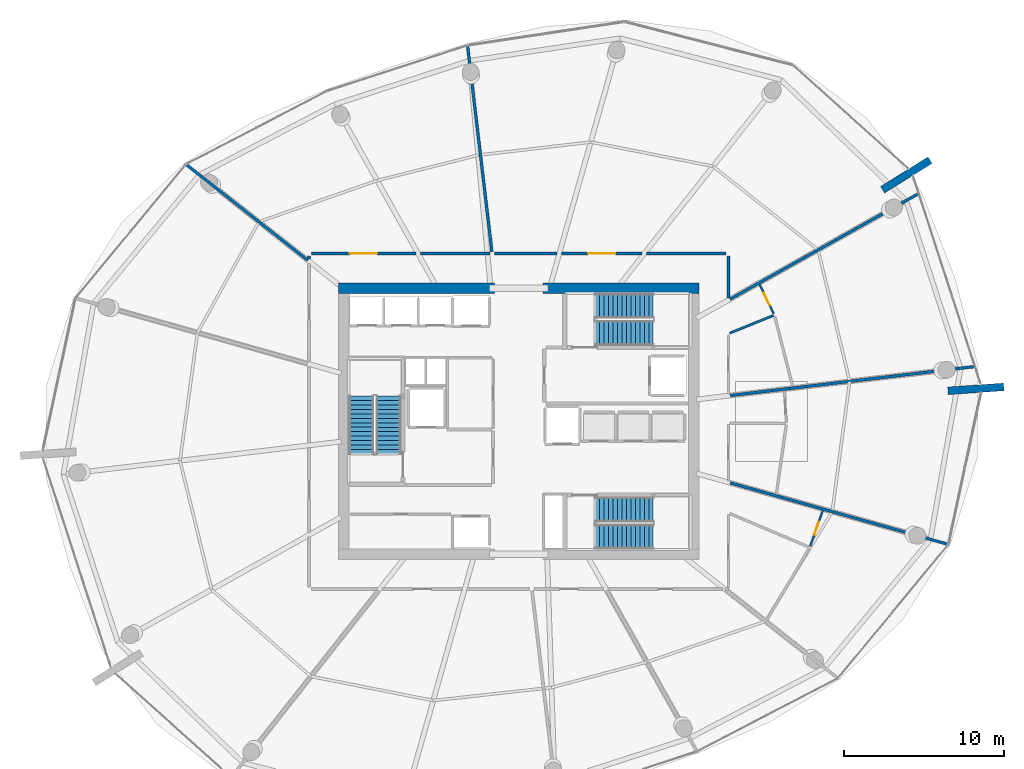
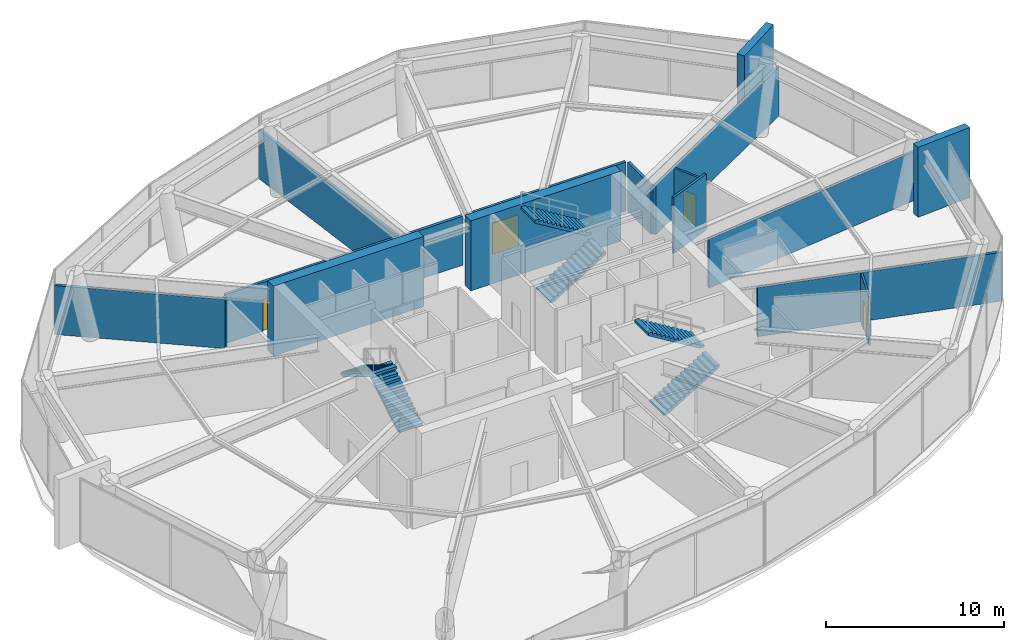
# One storey, part 19 of 22: 19 walls, 6 stair flights, 4 doors, 4 openings, 3 elements without a shape of their own.
"""IFC4 building model written with IfcOpenShell, lengths in metres."""

from ifc_helpers import new_model, si_unit, direction, frame, frame_2d, origin, place, context, subcontext, project, spatial, polyline, rectangle, outline, extrude, material, layer, layer_set, type_object, element, fill, aggregate, save


model = new_model("IFC4")

# Units and contexts
model_context = context("Model", 3, precision=1e-05, world=origin(), true_north=direction((0.0, 1.0)))
body_context = subcontext(model_context, "Body", "Model", "MODEL_VIEW")
ifc_project = project(units=[si_unit("LENGTHUNIT", "METRE"), si_unit("AREAUNIT", "SQUARE_METRE"), si_unit("VOLUMEUNIT", "CUBIC_METRE"), si_unit("PLANEANGLEUNIT", "RADIAN"), si_unit("MASSUNIT", "GRAM", prefix="KILO")], contexts=[model_context])

# Site, building, storey
site_placement = place(None, origin())
site = spatial("IfcSite", under=ifc_project, at=site_placement, CompositionType="ELEMENT")
building_placement = place(site_placement, origin())
building = spatial("IfcBuilding", under=site, at=building_placement, Name="Kazma Halo Residences", CompositionType="ELEMENT")
storey_placement = place(building_placement, frame((0.0, 0.0, 231.89990234375)))
storey = spatial("IfcBuildingStorey", under=building, at=storey_placement, Name="L58", CompositionType="ELEMENT", Elevation=231.89990234375)

# Walls
ifc_material_1 = material(Name="Pale Concrete C60/75", Category="concrete")
ifc_layer_1 = layer(ifc_material_1, 0.47998046875)
ifc_layer_set_1 = layer_set([ifc_layer_1], Name="Pale Concrete C60/75")
wall_type_1 = type_object("IfcWallType", Name="WL-BLADE-480", PredefinedType="SOLIDWALL", material=ifc_layer_set_1)
wall_1_placement = place(storey_placement, frame((71.197509765625, 56.49560546875, 0.0), z_axis=(0.0, 0.0, 1.0), x_axis=(0.848084507158, 0.529860989996, 0.0)))
element("IfcWall", 1, at=wall_1_placement, inside=storey, type_object=wall_type_1, Name="L58 pale concrete structural blade fin wall BW-01", PredefinedType="SOLIDWALL", context=body_context, shape_type="SweptSolid", body=[
    extrude(rectangle(XDim=3.5, YDim=0.47998046875, at=frame_2d((1.75, 0.0))), origin(), (0.0, 0.0, 1.0), 4.800048828125),
])
wall_2_placement = place(storey_placement, frame((75.28759765625, 43.908203125, 0.0), z_axis=(0.0, 0.0, 1.0), x_axis=(0.997563824095, 0.069759707979, 0.0)))
element("IfcWall", 2, at=wall_2_placement, inside=storey, type_object=wall_type_1, Name="L58 pale concrete structural blade fin wall BW-04", PredefinedType="SOLIDWALL", context=body_context, shape_type="SweptSolid", body=[
    extrude(rectangle(XDim=3.499755859375, YDim=0.47998046875, at=frame_2d((1.75, 0.0))), origin(), (0.0, 0.0, 1.0), 4.800048828125),
])
ifc_material_2 = material(Name="Concrete C60/75", Category="concrete")
ifc_layer_2 = layer(ifc_material_2, 0.64990234375)
ifc_layer_set_2 = layer_set([ifc_layer_2], Name="Concrete C60/75")
wall_type_2 = type_object("IfcWallType", Name="WL-CORE-650", PredefinedType="SHEAR", material=ifc_layer_set_2)
for number, where, z_axis, x_axis, name in (
    (3, (37.14990234375, 50.324951171875, 0.0), (0.0, 0.0, 1.0), (1.0, 0.0, 0.0), "L58 central core shear wall NW"),
    (4, (49.949951171875, 50.324951171875, 0.0), (0.0, 0.0, 1.0), (1.0, 0.0, 0.0), "L58 central core shear wall NE"),
):
    element("IfcWall", number, at=place(storey_placement, frame(where, z_axis=z_axis, x_axis=x_axis)), inside=storey, type_object=wall_type_2, Name=name, PredefinedType="SHEAR", context=body_context, shape_type="SweptSolid", body=[
        extrude(rectangle(XDim=9.75, YDim=0.64990234375, at=frame_2d((4.875, 0.0))), origin(), (0.0, 0.0, 1.0), 4.800048828125),
    ])
ifc_material_3 = material(Name="Acoustic Twin-Stud Gypsum")
ifc_layer_3 = layer(ifc_material_3, 0.179931640625)
ifc_layer_set_3 = layer_set([ifc_layer_3], Name="Acoustic Twin-Stud Gypsum")
wall_type_3 = type_object("IfcWallType", Name="WL-DEM-180", PredefinedType="PARTITIONING", material=ifc_layer_set_3)
wall_3_placement = place(storey_placement, frame((61.550048828125, 49.728515625, 0.0), z_axis=(0.0, 0.0, 1.0), x_axis=(0.0, 1.0, 0.0)))
element("IfcWall", 5, at=wall_3_placement, inside=storey, type_object=wall_type_3, Name="L58 Upper Sky Lobby Concourse corridor wall", PredefinedType="PARTITIONING", context=body_context, shape_type="SweptSolid", body=[
    extrude(rectangle(XDim=2.631591796875, YDim=0.179931640625, at=frame_2d((1.31591796875, 0.0))), origin(), (0.0, 0.0, 1.0), 3.357177734375),
])
wall_4_placement = place(storey_placement, frame((61.409912109375, 52.5, 0.0), z_axis=(0.0, 0.0, 1.0), x_axis=(-1.0, 0.0, 0.0)))
element("IfcWall", 6, at=wall_4_placement, inside=storey, type_object=wall_type_3, Name="L58 Upper Sky Lobby Concourse corridor wall", PredefinedType="PARTITIONING", context=body_context, shape_type="SweptSolid", body=[
    extrude(rectangle(XDim=4.992431640625, YDim=0.179931640625, at=frame_2d((2.49609375, 0.0))), origin(), (0.0, 0.0, 1.0), 3.357177734375),
])

# Wall, opening, door
wall_5_placement = place(storey_placement, frame((56.137451171875, 52.5, 0.0), z_axis=(0.0, 0.0, 1.0), x_axis=(-1.0, 0.0, 0.0)))
wall_5 = element("IfcWall", 7, at=wall_5_placement, inside=storey, type_object=wall_type_3, Name="L58 Upper Sky Lobby Concourse corridor wall", PredefinedType="PARTITIONING", context=body_context, shape_type="SweptSolid", body=[
    extrude(rectangle(XDim=5.0361328125, YDim=0.179931640625, at=frame_2d((2.51806640625, 0.0))), origin(), (0.0, 0.0, 1.0), 3.357177734375),
])
opening_1_placement = place(wall_5_placement, frame((1.668212890625, 0.0, 0.0)))
opening_1 = element("IfcOpeningElement", 8, at=opening_1_placement, cuts=wall_5, Name="Opening DL-1800", PredefinedType="OPENING", context=body_context, shape_type="SweptSolid", body=[
    extrude(rectangle(XDim=1.699951171875, YDim=2.14990234375, at=frame_2d((0.85009765625, 1.074951171875))), frame((0.0, 0.099853515625, 0.0), z_axis=(0.0, -1.0, 0.0), x_axis=(1.0, 0.0, 0.0)), (0.0, 0.0, 1.0), 0.199951171875),
])
ifc_material_4 = material(Name="Glazed Aluminium Double Leaf", Category="aluminium")
door_type_1 = type_object("IfcDoorType", Name="DR-LGE-1800", OperationType="NOTDEFINED", PredefinedType="DOOR", material=ifc_material_4)
door_1_placement = place(opening_1_placement, origin())
door_1 = element("IfcDoor", 9, at=door_1_placement, inside=storey, type_object=door_type_1, Name="L58 Upper Sky Lobby Concourse entrance door", OperationType="DOUBLE_DOOR_SINGLE_SWING", OverallHeight=2.14990234375, OverallWidth=1.699951171875, PredefinedType="DOOR", context=body_context, shape_type="SweptSolid", body=[
    extrude(rectangle(XDim=1.699951171875, YDim=2.14990234375, at=frame_2d((0.85009765625, 1.074951171875))), frame((0.0, 0.02490234375, 0.0), z_axis=(0.0, -1.0, 0.0), x_axis=(1.0, 0.0, 0.0)), (0.0, 0.0, 1.0), 0.050048828125),
])
fill(opening_1, door_1)

# Walls
wall_6_placement = place(storey_placement, frame((50.8212890625, 52.5, 0.0), z_axis=(0.0, 0.0, 1.0), x_axis=(-1.0, 0.0, 0.0)))
element("IfcWall", 10, at=wall_6_placement, inside=storey, type_object=wall_type_3, Name="L58 Upper Sky Lobby Concourse corridor wall", PredefinedType="PARTITIONING", context=body_context, shape_type="SweptSolid", body=[
    extrude(rectangle(XDim=3.924072265625, YDim=0.179931640625, at=frame_2d((1.9619140625, 0.0))), origin(), (0.0, 0.0, 1.0), 3.357177734375),
])
wall_7_placement = place(storey_placement, frame((61.64599609375, 49.64208984375, 0.0), z_axis=(0.0, 0.0, 1.0), x_axis=(0.872490621789, 0.488630857488, 0.0)))
element("IfcWall", 11, at=wall_7_placement, inside=storey, type_object=wall_type_3, Name="L58 radial partition wall 00", PredefinedType="PARTITIONING", context=body_context, shape_type="SweptSolid", body=[
    extrude(rectangle(XDim=13.522216796875, YDim=0.179931640625, at=frame_2d((6.76123046875, 0.0))), origin(), (0.0, 0.0, 1.0), 3.357177734375),
])
wall_8_placement = place(storey_placement, frame((46.744384765625, 52.609130859375, 0.0), z_axis=(0.0, 0.0, 1.0), x_axis=(-0.117537360962, 0.993068461274, 0.0)))
element("IfcWall", 12, at=wall_8_placement, inside=storey, type_object=wall_type_3, Name="L58 radial partition wall 03", PredefinedType="PARTITIONING", context=body_context, shape_type="SweptSolid", body=[
    extrude(rectangle(XDim=12.982177734375, YDim=0.179931640625, at=frame_2d((6.4912109375, 0.0))), origin(), (0.0, 0.0, 1.0), 3.357177734375),
])
wall_9_placement = place(storey_placement, frame((46.6171875, 52.5, 0.0), z_axis=(0.0, 0.0, 1.0), x_axis=(-1.0, 0.0, 0.0)))
element("IfcWall", 13, at=wall_9_placement, inside=storey, type_object=wall_type_3, Name="L58 Observatory Sky Dining Hall corridor wall", PredefinedType="PARTITIONING", context=body_context, shape_type="SweptSolid", body=[
    extrude(rectangle(XDim=4.357421875, YDim=0.179931640625, at=frame_2d((2.1787109375, 0.0))), origin(), (0.0, 0.0, 1.0), 3.357177734375),
])

# Wall, opening, door
wall_10_placement = place(storey_placement, frame((41.979736328125, 52.5, 0.0), z_axis=(0.0, 0.0, 1.0), x_axis=(-1.0, 0.0, 0.0)))
wall_10 = element("IfcWall", 14, at=wall_10_placement, inside=storey, type_object=wall_type_3, Name="L58 Observatory Sky Dining Hall corridor wall", PredefinedType="PARTITIONING", context=body_context, shape_type="SweptSolid", body=[
    extrude(rectangle(XDim=6.539794921875, YDim=0.179931640625, at=frame_2d((3.27001953125, 0.0))), origin(), (0.0, 0.0, 1.0), 3.357177734375),
])
opening_2_placement = place(wall_10_placement, frame((2.419921875, 0.0, 0.0)))
opening_2 = element("IfcOpeningElement", 15, at=opening_2_placement, cuts=wall_10, Name="Opening DL-1800", PredefinedType="OPENING", context=body_context, shape_type="SweptSolid", body=[
    extrude(rectangle(XDim=1.699951171875, YDim=2.14990234375, at=frame_2d((0.85009765625, 1.074951171875))), frame((0.0, 0.099853515625, 0.0), z_axis=(0.0, -1.0, 0.0), x_axis=(1.0, 0.0, 0.0)), (0.0, 0.0, 1.0), 0.199951171875),
])
door_2_placement = place(opening_2_placement, origin())
door_2 = element("IfcDoor", 16, at=door_2_placement, inside=storey, type_object=door_type_1, Name="L58 Observatory Sky Dining Hall entrance door", OperationType="DOUBLE_DOOR_SINGLE_SWING", OverallHeight=2.14990234375, OverallWidth=1.699951171875, PredefinedType="DOOR", context=body_context, shape_type="SweptSolid", body=[
    extrude(rectangle(XDim=1.699951171875, YDim=2.14990234375, at=frame_2d((0.85009765625, 1.074951171875))), frame((0.0, 0.02490234375, 0.0), z_axis=(0.0, -1.0, 0.0), x_axis=(1.0, 0.0, 0.0)), (0.0, 0.0, 1.0), 0.050048828125),
])
fill(opening_2, door_2)

# Walls
wall_11_placement = place(storey_placement, frame((35.300048828125, 52.360107421875, 0.0), z_axis=(0.0, 0.0, 1.0), x_axis=(0.0, -1.0, 0.0)))
element("IfcWall", 17, at=wall_11_placement, inside=storey, type_object=wall_type_3, Name="L58 Observatory Sky Dining Hall corridor wall", PredefinedType="PARTITIONING", context=body_context, shape_type="SweptSolid", body=[
    extrude(rectangle(XDim=0.208251953125, YDim=0.179931640625, at=frame_2d((0.10400390625, 0.0))), origin(), (0.0, 0.0, 1.0), 3.357177734375),
])
wall_12_placement = place(storey_placement, frame((35.213623046875, 52.080078125, 0.0), z_axis=(0.0, 0.0, 1.0), x_axis=(-0.785322491177, 0.619086896043, 0.0)))
element("IfcWall", 18, at=wall_12_placement, inside=storey, type_object=wall_type_3, Name="L58 radial partition wall 05", PredefinedType="PARTITIONING", context=body_context, shape_type="SweptSolid", body=[
    extrude(rectangle(XDim=9.673828125, YDim=0.179931640625, at=frame_2d((4.8369140625, 0.0))), origin(), (0.0, 0.0, 1.0), 3.357177734375),
])
wall_13_placement = place(storey_placement, frame((61.656005859375, 38.148681640625, 0.0), z_axis=(0.0, 0.0, 1.0), x_axis=(0.962456252805, -0.271436846128, 0.0)))
element("IfcWall", 19, at=wall_13_placement, inside=storey, type_object=wall_type_3, Name="L58 radial partition wall 14", PredefinedType="PARTITIONING", context=body_context, shape_type="SweptSolid", body=[
    extrude(rectangle(XDim=14.17431640625, YDim=0.179931640625, at=frame_2d((7.087158203125, 0.0))), origin(), (0.0, 0.0, 1.0), 3.357177734375),
])
wall_14_placement = place(storey_placement, frame((61.6591796875, 43.61669921875, 0.0), z_axis=(0.0, 0.0, 1.0), x_axis=(0.99306815803, 0.117539923033, 0.0)))
element("IfcWall", 20, at=wall_14_placement, inside=storey, type_object=wall_type_3, Name="L58 radial partition wall 15", PredefinedType="PARTITIONING", context=body_context, shape_type="SweptSolid", body=[
    extrude(rectangle(XDim=15.40771484375, YDim=0.179931640625, at=frame_2d((7.703857421875, 0.0))), origin(), (0.0, 0.0, 1.0), 3.357177734375),
])

# Wall, opening, door
ifc_material_5 = material(Name="Gypsum Plasterboard Partition")
ifc_layer_4 = layer(ifc_material_5, 0.125)
ifc_layer_set_4 = layer_set([ifc_layer_4], Name="Gypsum Plasterboard Partition")
wall_type_4 = type_object("IfcWallType", Name="WL-PART-125", PredefinedType="PARTITIONING", material=ifc_layer_set_4)
wall_15_placement = place(storey_placement, frame((66.666259765625, 34.1826171875, 0.0), z_axis=(0.0, 0.0, 1.0), x_axis=(0.331381554754, 0.943496828383, 0.0)))
wall_15 = element("IfcWall", 21, at=wall_15_placement, inside=storey, type_object=wall_type_4, Name="L58 supply store wall", PredefinedType="PARTITIONING", context=body_context, shape_type="SweptSolid", body=[
    extrude(rectangle(XDim=2.362060546875, YDim=0.125, at=frame_2d((1.18115234375, 0.0))), origin(), (0.0, 0.0, 1.0), 3.357177734375),
])
opening_3_placement = place(wall_15_placement, frame((0.756103515625, 0.0, 0.0)))
opening_3 = element("IfcOpeningElement", 22, at=opening_3_placement, cuts=wall_15, Name="Opening DS-850", PredefinedType="OPENING", context=body_context, shape_type="SweptSolid", body=[
    extrude(rectangle(XDim=0.85009765625, YDim=2.06005859375, at=frame_2d((0.425048828125, 1.030029296875))), frame((0.0, 0.072509765625, 0.0), z_axis=(0.0, -1.0, 0.0), x_axis=(1.0, 0.0, 0.0)), (0.0, 0.0, 1.0), 0.14501953125),
])
ifc_material_6 = material(Name="Painted Steel Access Leaf", Category="steel")
door_type_2 = type_object("IfcDoorType", Name="DR-SVC-850", OperationType="NOTDEFINED", PredefinedType="DOOR", material=ifc_material_6)
door_3_placement = place(opening_3_placement, origin())
door_3 = element("IfcDoor", 23, at=door_3_placement, inside=storey, type_object=door_type_2, Name="L58 supply store door", OperationType="SINGLE_SWING_RIGHT", OverallHeight=2.06005859375, OverallWidth=0.85009765625, PredefinedType="DOOR", context=body_context, shape_type="SweptSolid", body=[
    extrude(rectangle(XDim=0.85009765625, YDim=2.06005859375, at=frame_2d((0.425048828125, 1.030029296875))), frame((0.0, 0.02490234375, 0.0), z_axis=(0.0, -1.0, 0.0), x_axis=(1.0, 0.0, 0.0)), (0.0, 0.0, 1.0), 0.050048828125),
])
fill(opening_3, door_3)

wall_16_placement = place(storey_placement, frame((64.388427734375, 48.72412109375, 0.0), z_axis=(0.0, 0.0, 1.0), x_axis=(-0.432831961941, 0.90147462123, 0.0)))
wall_16 = element("IfcWall", 24, at=wall_16_placement, inside=storey, type_object=wall_type_4, Name="L58 supply store wall", PredefinedType="PARTITIONING", context=body_context, shape_type="SweptSolid", body=[
    extrude(rectangle(XDim=2.045166015625, YDim=0.125, at=frame_2d((1.0224609375, 0.0))), origin(), (0.0, 0.0, 1.0), 3.357177734375),
])
opening_4_placement = place(wall_16_placement, frame((0.59765625, 0.0, 0.0)))
opening_4 = element("IfcOpeningElement", 25, at=opening_4_placement, cuts=wall_16, Name="Opening DS-850", PredefinedType="OPENING", context=body_context, shape_type="SweptSolid", body=[
    extrude(rectangle(XDim=0.85009765625, YDim=2.06005859375, at=frame_2d((0.425048828125, 1.030029296875))), frame((0.0, 0.072509765625, 0.0), z_axis=(0.0, -1.0, 0.0), x_axis=(1.0, 0.0, 0.0)), (0.0, 0.0, 1.0), 0.14501953125),
])
door_4_placement = place(opening_4_placement, origin())
door_4 = element("IfcDoor", 26, at=door_4_placement, inside=storey, type_object=door_type_2, Name="L58 supply store door", OperationType="SINGLE_SWING_RIGHT", OverallHeight=2.06005859375, OverallWidth=0.85009765625, PredefinedType="DOOR", context=body_context, shape_type="SweptSolid", body=[
    extrude(rectangle(XDim=0.85009765625, YDim=2.06005859375, at=frame_2d((0.425048828125, 1.030029296875))), frame((0.0, 0.02490234375, 0.0), z_axis=(0.0, -1.0, 0.0), x_axis=(1.0, 0.0, 0.0)), (0.0, 0.0, 1.0), 0.050048828125),
])
fill(opening_4, door_4)

# Wall
ifc_material_7 = material(Name="Moisture-Resistant Gypsum")
ifc_layer_5 = layer(ifc_material_7, 0.14990234375)
ifc_layer_set_5 = layer_set([ifc_layer_5], Name="Moisture-Resistant Gypsum")
wall_type_5 = type_object("IfcWallType", Name="WL-WET-150", PredefinedType="PARTITIONING", material=ifc_layer_set_5)
wall_17_placement = place(storey_placement, frame((61.6240234375, 47.518310546875, 0.0), z_axis=(0.0, 0.0, 1.0), x_axis=(0.926869613272, 0.375383430631, 0.0)))
element("IfcWall", 27, at=wall_17_placement, inside=storey, type_object=wall_type_5, Name="L58 Upper Sky Accessible WC side wall", PredefinedType="PARTITIONING", context=body_context, shape_type="SweptSolid", body=[
    extrude(rectangle(XDim=2.9599609375, YDim=0.14990234375, at=frame_2d((1.47998046875, 0.0))), origin(), (0.0, 0.0, 1.0), 3.840087890625),
])

# Stair, stair flights
ifc_material_8 = material(Name="Concrete C50/60", Category="concrete")
stair_type = type_object("IfcStairType", Name="STR-POD", PredefinedType="HALF_TURN_STAIR", material=ifc_material_8)
stair_1_placement = place(storey_placement, origin())
stair_1 = element("IfcStair", 28, at=stair_1_placement, inside=storey, type_object=stair_type, Name="L58 Core exit stair ST-01", PredefinedType="HALF_TURN_STAIR")
stair_flight_type = type_object("IfcStairFlightType", Name="STR-POD-FLT", PredefinedType="STRAIGHT", material=ifc_material_8)
stair_flight_1_placement = place(storey_placement, frame((40.27490234375, 39.949951171875, 0.0), z_axis=(0.0, 0.0, 1.0), x_axis=(0.0, 1.0, 0.0)))
stair_flight_1 = element("IfcStairFlight", 29, at=stair_flight_1_placement, type_object=stair_flight_type, Name="ST-01 flight 1", NumberOfRisers=14, NumberOfTreads=13, PredefinedType="STRAIGHT", RiserHeight=0.171428571, TreadLength=0.28, context=body_context, shape_type="SweptSolid", body=[
    extrude(outline(polyline([(0.0, 0.0), (0.0, 0.17138671875), (0.280029296875, 0.17138671875), (0.280029296875, 0.3427734375), (0.56005859375, 0.3427734375), (0.56005859375, 0.514404296875), (0.840087890625, 0.514404296875), (0.840087890625, 0.685791015625), (1.1201171875, 0.685791015625), (1.1201171875, 0.857177734375), (1.39990234375, 0.857177734375), (1.39990234375, 1.028564453125), (1.679931640625, 1.028564453125), (1.679931640625, 1.199951171875), (1.9599609375, 1.199951171875), (1.9599609375, 1.371337890625), (2.239990234375, 1.371337890625), (2.239990234375, 1.54296875), (2.52001953125, 1.54296875), (2.52001953125, 1.71435546875), (2.800048828125, 1.71435546875), (2.800048828125, 1.8857421875), (3.080078125, 1.8857421875), (3.080078125, 2.05712890625), (3.360107421875, 2.05712890625), (3.360107421875, 2.228515625), (3.639892578125, 2.228515625), (3.639892578125, 2.39990234375), (3.639892578125, 2.052734375), (0.287109375, 0.0), (0.0, 0.0)])), frame((0.0, 0.77490234375, 0.0), z_axis=(0.0, -1.0, 0.0), x_axis=(1.0, 0.0, 0.0)), (0.0, 0.0, 1.0), 1.550048828125),
])
stair_flight_2_placement = place(storey_placement, frame((38.574951171875, 43.590087890625, 2.400146484375), z_axis=(0.0, 0.0, 1.0), x_axis=(0.0, -1.0, 0.0)))
stair_flight_2 = element("IfcStairFlight", 30, at=stair_flight_2_placement, type_object=stair_flight_type, Name="ST-01 flight 2", NumberOfRisers=14, NumberOfTreads=13, PredefinedType="STRAIGHT", RiserHeight=0.171428571, TreadLength=0.28, context=body_context, shape_type="SweptSolid", body=[
    extrude(outline(polyline([(0.0, 0.0), (0.0, 0.17138671875), (0.280029296875, 0.17138671875), (0.280029296875, 0.3427734375), (0.56005859375, 0.3427734375), (0.56005859375, 0.514404296875), (0.840087890625, 0.514404296875), (0.840087890625, 0.685791015625), (1.1201171875, 0.685791015625), (1.1201171875, 0.857177734375), (1.39990234375, 0.857177734375), (1.39990234375, 1.028564453125), (1.679931640625, 1.028564453125), (1.679931640625, 1.199951171875), (1.9599609375, 1.199951171875), (1.9599609375, 1.371337890625), (2.239990234375, 1.371337890625), (2.239990234375, 1.54296875), (2.52001953125, 1.54296875), (2.52001953125, 1.71435546875), (2.800048828125, 1.71435546875), (2.800048828125, 1.8857421875), (3.080078125, 1.8857421875), (3.080078125, 2.05712890625), (3.360107421875, 2.05712890625), (3.360107421875, 2.228515625), (3.639892578125, 2.228515625), (3.639892578125, 2.39990234375), (3.639892578125, 2.052734375), (0.287109375, 0.0), (0.0, 0.0)])), frame((0.0, 0.77490234375, 0.0), z_axis=(0.0, -1.0, 0.0), x_axis=(1.0, 0.0, 0.0)), (0.0, 0.0, 1.0), 1.550048828125),
])
aggregate(stair_1, [stair_flight_1, stair_flight_2])

stair_2_placement = place(storey_placement, origin())
stair_2 = element("IfcStair", 31, at=stair_2_placement, inside=storey, type_object=stair_type, Name="L58 Core exit stair ST-02", PredefinedType="HALF_TURN_STAIR")
stair_flight_3_placement = place(storey_placement, frame((53.199951171875, 47.52490234375, 0.0), z_axis=(0.0, 0.0, 1.0), x_axis=(1.0, 0.0, 0.0)))
stair_flight_3 = element("IfcStairFlight", 32, at=stair_flight_3_placement, type_object=stair_flight_type, Name="ST-02 flight 1", NumberOfRisers=14, NumberOfTreads=13, PredefinedType="STRAIGHT", RiserHeight=0.171428571, TreadLength=0.28, context=body_context, shape_type="SweptSolid", body=[
    extrude(outline(polyline([(0.0, 0.0), (0.0, 0.17138671875), (0.280029296875, 0.17138671875), (0.280029296875, 0.3427734375), (0.56005859375, 0.3427734375), (0.56005859375, 0.514404296875), (0.840087890625, 0.514404296875), (0.840087890625, 0.685791015625), (1.1201171875, 0.685791015625), (1.1201171875, 0.857177734375), (1.39990234375, 0.857177734375), (1.39990234375, 1.028564453125), (1.679931640625, 1.028564453125), (1.679931640625, 1.199951171875), (1.9599609375, 1.199951171875), (1.9599609375, 1.371337890625), (2.239990234375, 1.371337890625), (2.239990234375, 1.54296875), (2.52001953125, 1.54296875), (2.52001953125, 1.71435546875), (2.800048828125, 1.71435546875), (2.800048828125, 1.8857421875), (3.080078125, 1.8857421875), (3.080078125, 2.05712890625), (3.360107421875, 2.05712890625), (3.360107421875, 2.228515625), (3.639892578125, 2.228515625), (3.639892578125, 2.39990234375), (3.639892578125, 2.052734375), (0.287109375, 0.0), (0.0, 0.0)])), frame((0.0, 0.77490234375, 0.0), z_axis=(0.0, -1.0, 0.0), x_axis=(1.0, 0.0, 0.0)), (0.0, 0.0, 1.0), 1.550048828125),
])
stair_flight_4_placement = place(storey_placement, frame((56.840087890625, 49.22509765625, 2.400146484375), z_axis=(0.0, 0.0, 1.0), x_axis=(-1.0, 0.0, 0.0)))
stair_flight_4 = element("IfcStairFlight", 33, at=stair_flight_4_placement, type_object=stair_flight_type, Name="ST-02 flight 2", NumberOfRisers=14, NumberOfTreads=13, PredefinedType="STRAIGHT", RiserHeight=0.171428571, TreadLength=0.28, context=body_context, shape_type="SweptSolid", body=[
    extrude(outline(polyline([(0.0, 0.0), (0.0, 0.17138671875), (0.280029296875, 0.17138671875), (0.280029296875, 0.3427734375), (0.56005859375, 0.3427734375), (0.56005859375, 0.514404296875), (0.840087890625, 0.514404296875), (0.840087890625, 0.685791015625), (1.1201171875, 0.685791015625), (1.1201171875, 0.857177734375), (1.39990234375, 0.857177734375), (1.39990234375, 1.028564453125), (1.679931640625, 1.028564453125), (1.679931640625, 1.199951171875), (1.9599609375, 1.199951171875), (1.9599609375, 1.371337890625), (2.239990234375, 1.371337890625), (2.239990234375, 1.54296875), (2.52001953125, 1.54296875), (2.52001953125, 1.71435546875), (2.800048828125, 1.71435546875), (2.800048828125, 1.8857421875), (3.080078125, 1.8857421875), (3.080078125, 2.05712890625), (3.360107421875, 2.05712890625), (3.360107421875, 2.228515625), (3.639892578125, 2.228515625), (3.639892578125, 2.39990234375), (3.639892578125, 2.052734375), (0.287109375, 0.0), (0.0, 0.0)])), frame((0.0, 0.77490234375, 0.0), z_axis=(0.0, -1.0, 0.0), x_axis=(1.0, 0.0, 0.0)), (0.0, 0.0, 1.0), 1.550048828125),
])
aggregate(stair_2, [stair_flight_3, stair_flight_4])

stair_3_placement = place(storey_placement, origin())
stair_3 = element("IfcStair", 34, at=stair_3_placement, inside=storey, type_object=stair_type, Name="L58 Core exit stair ST-03", PredefinedType="HALF_TURN_STAIR")
stair_flight_5_placement = place(storey_placement, frame((53.199951171875, 34.77490234375, 0.0), z_axis=(0.0, 0.0, 1.0), x_axis=(1.0, 0.0, 0.0)))
stair_flight_5 = element("IfcStairFlight", 35, at=stair_flight_5_placement, type_object=stair_flight_type, Name="ST-03 flight 1", NumberOfRisers=14, NumberOfTreads=13, PredefinedType="STRAIGHT", RiserHeight=0.171428571, TreadLength=0.28, context=body_context, shape_type="SweptSolid", body=[
    extrude(outline(polyline([(0.0, 0.0), (0.0, 0.17138671875), (0.280029296875, 0.17138671875), (0.280029296875, 0.3427734375), (0.56005859375, 0.3427734375), (0.56005859375, 0.514404296875), (0.840087890625, 0.514404296875), (0.840087890625, 0.685791015625), (1.1201171875, 0.685791015625), (1.1201171875, 0.857177734375), (1.39990234375, 0.857177734375), (1.39990234375, 1.028564453125), (1.679931640625, 1.028564453125), (1.679931640625, 1.199951171875), (1.9599609375, 1.199951171875), (1.9599609375, 1.371337890625), (2.239990234375, 1.371337890625), (2.239990234375, 1.54296875), (2.52001953125, 1.54296875), (2.52001953125, 1.71435546875), (2.800048828125, 1.71435546875), (2.800048828125, 1.8857421875), (3.080078125, 1.8857421875), (3.080078125, 2.05712890625), (3.360107421875, 2.05712890625), (3.360107421875, 2.228515625), (3.639892578125, 2.228515625), (3.639892578125, 2.39990234375), (3.639892578125, 2.052734375), (0.287109375, 0.0), (0.0, 0.0)])), frame((0.0, 0.77490234375, 0.0), z_axis=(0.0, -1.0, 0.0), x_axis=(1.0, 0.0, 0.0)), (0.0, 0.0, 1.0), 1.550048828125),
])
stair_flight_6_placement = place(storey_placement, frame((56.840087890625, 36.47509765625, 2.400146484375), z_axis=(0.0, 0.0, 1.0), x_axis=(-1.0, 0.0, 0.0)))
stair_flight_6 = element("IfcStairFlight", 36, at=stair_flight_6_placement, type_object=stair_flight_type, Name="ST-03 flight 2", NumberOfRisers=14, NumberOfTreads=13, PredefinedType="STRAIGHT", RiserHeight=0.171428571, TreadLength=0.28, context=body_context, shape_type="SweptSolid", body=[
    extrude(outline(polyline([(0.0, 0.0), (0.0, 0.17138671875), (0.280029296875, 0.17138671875), (0.280029296875, 0.3427734375), (0.56005859375, 0.3427734375), (0.56005859375, 0.514404296875), (0.840087890625, 0.514404296875), (0.840087890625, 0.685791015625), (1.1201171875, 0.685791015625), (1.1201171875, 0.857177734375), (1.39990234375, 0.857177734375), (1.39990234375, 1.028564453125), (1.679931640625, 1.028564453125), (1.679931640625, 1.199951171875), (1.9599609375, 1.199951171875), (1.9599609375, 1.371337890625), (2.239990234375, 1.371337890625), (2.239990234375, 1.54296875), (2.52001953125, 1.54296875), (2.52001953125, 1.71435546875), (2.800048828125, 1.71435546875), (2.800048828125, 1.8857421875), (3.080078125, 1.8857421875), (3.080078125, 2.05712890625), (3.360107421875, 2.05712890625), (3.360107421875, 2.228515625), (3.639892578125, 2.228515625), (3.639892578125, 2.39990234375), (3.639892578125, 2.052734375), (0.287109375, 0.0), (0.0, 0.0)])), frame((0.0, 0.77490234375, 0.0), z_axis=(0.0, -1.0, 0.0), x_axis=(1.0, 0.0, 0.0)), (0.0, 0.0, 1.0), 1.550048828125),
])
aggregate(stair_3, [stair_flight_5, stair_flight_6])

save(model, "model.ifc")
